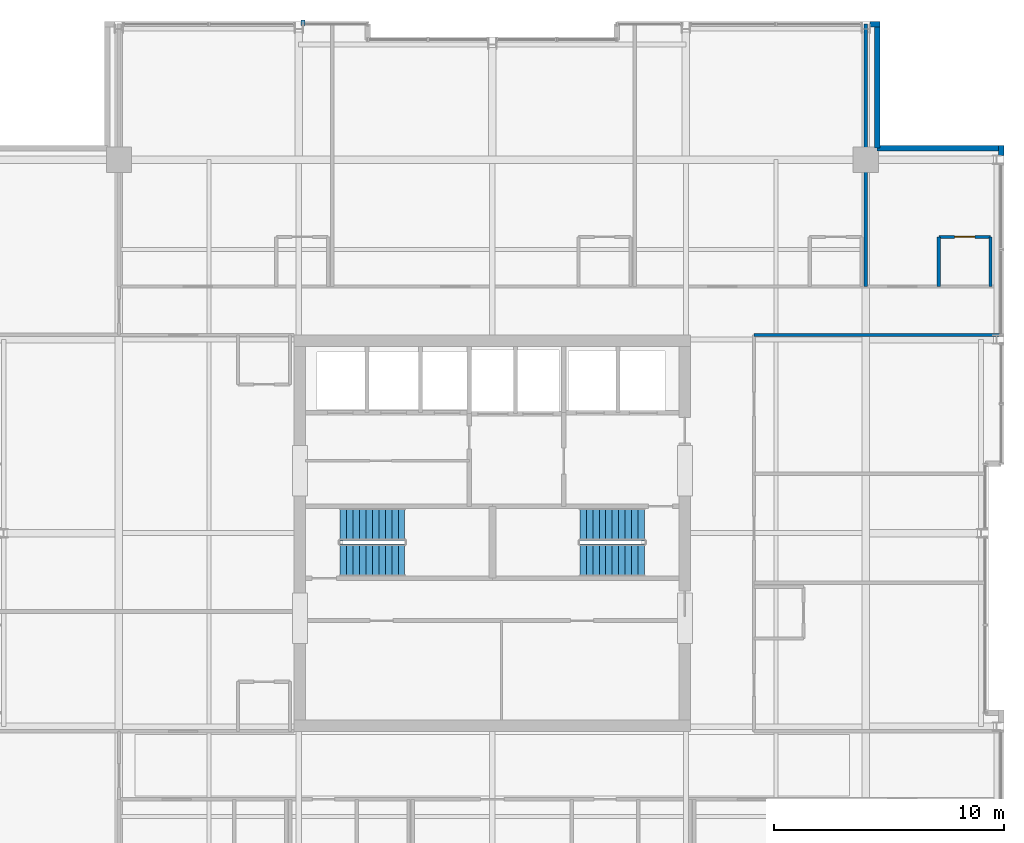
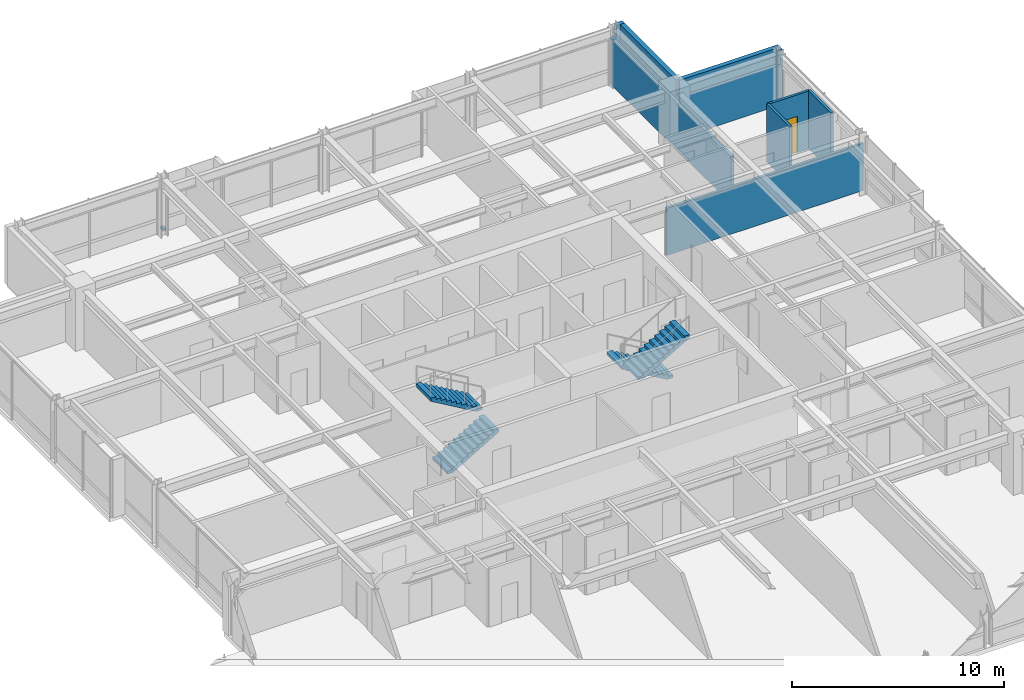
# One storey, part 29 of 31: 9 walls, 4 stair flights, 1 discrete accessory, 1 door, 1 opening, 2 elements without a shape of their own.
"""IFC4 building model written with IfcOpenShell, lengths in metres."""

import ifcopenshell
import ifcopenshell.guid

model = None  # the IFC model being written
_history = None  # IfcOwnerHistory: only IFC2X3 demands one
_inside = {}  # id of a spatial element -> (the spatial element, [elements in it])
_under = {}  # id of a project, library or spatial element -> (it, [spatial elements below it])
_declared = {}  # id of a project -> (the project, [libraries it declares])
_typed = {}  # id of a type object -> (the type object, [elements of that type])
_made_of = {}  # id of a material, layer set ... -> (it, [elements and type objects made of it])


def new_model(schema):
    """Start an empty IFC model of exactly this schema.

    Asked for "IFC4X3", IfcOpenShell would pick the latest addendum, in which some entities
    have other attributes; the version numbers below select the first issue.
    IFC2X3 requires an IfcOwnerHistory on every rooted entity: one is made here for all.
    """
    global model, _history
    if schema == "IFC4X3":
        model = ifcopenshell.file(schema_version=(4, 3, 0, 0))
    else:
        model = ifcopenshell.file(schema=schema)
    _inside.clear()
    _under.clear()
    _declared.clear()
    _typed.clear()
    _made_of.clear()
    _history = None
    if model.schema == "IFC2X3":
        org = make("IfcOrganization", Name="unknown")
        user = make(
            "IfcPersonAndOrganization",
            ThePerson=make("IfcPerson", FamilyName="unknown"),
            TheOrganization=org,
        )
        app = make(
            "IfcApplication",
            ApplicationDeveloper=org,
            Version="unknown",
            ApplicationFullName="unknown",
            ApplicationIdentifier="unknown",
        )
        _history = make(
            "IfcOwnerHistory",
            OwningUser=user,
            OwningApplication=app,
            ChangeAction="ADDED",
            CreationDate=0,
        )
    return model


def make(cls, **values):
    """One entity of the class cls with the attributes given. An attribute that is None is left unset."""
    return model.create_entity(
        cls, **{name: value for name, value in values.items() if value is not None}
    )


def rooted(cls, **values):
    """An entity with a GlobalId (a new one), such as an element, a storey or a relation."""
    return make(cls, GlobalId=ifcopenshell.guid.new(), OwnerHistory=_history, **values)


def si_unit(unit_type, name, prefix=None):
    """IfcSIUnit, for example si_unit("LENGTHUNIT", "METRE", prefix="MILLI")."""
    return make("IfcSIUnit", UnitType=unit_type, Prefix=prefix, Name=name)


def assignment(units):
    """IfcUnitAssignment: the units of a project."""
    return None if units is None else make("IfcUnitAssignment", Units=units)


def point(xyz):
    """IfcCartesianPoint."""
    return None if xyz is None else make("IfcCartesianPoint", Coordinates=xyz)


def direction(xyz):
    """IfcDirection."""
    return None if xyz is None else make("IfcDirection", DirectionRatios=xyz)


def frame(location, z_axis=None, x_axis=None):
    """IfcAxis2Placement3D, a coordinate frame: its origin and axes. An axis left out is left unset."""
    return make(
        "IfcAxis2Placement3D",
        Location=point(location),
        Axis=direction(z_axis),
        RefDirection=direction(x_axis),
    )


def frame_2d(location, x_axis=None):
    """IfcAxis2Placement2D, a coordinate frame in the plane: its origin and x axis."""
    return make(
        "IfcAxis2Placement2D", Location=point(location), RefDirection=direction(x_axis)
    )


def origin():
    """The frame at (0, 0, 0) with its axes left unset."""
    return frame((0.0, 0.0, 0.0))


def origin_2d():
    """The frame at (0, 0) in the plane with its x axis left unset."""
    return frame_2d((0.0, 0.0))


def place(relative_to, where):
    """IfcLocalPlacement: puts the frame where relative to a parent placement (None: the world)."""
    return make(
        "IfcLocalPlacement", PlacementRelTo=relative_to, RelativePlacement=where
    )


def context(
    kind, dimensions, precision=None, world=None, true_north=None, identifier=None
):
    """IfcGeometricRepresentationContext, for example the 3D "Model" context."""
    return make(
        "IfcGeometricRepresentationContext",
        ContextIdentifier=identifier,
        ContextType=kind,
        CoordinateSpaceDimension=dimensions,
        Precision=precision,
        WorldCoordinateSystem=world,
        TrueNorth=true_north,
    )


def subcontext(parent, identifier, kind, view, scale=None):
    """IfcGeometricRepresentationSubContext, for example "Body" below "Model"."""
    return make(
        "IfcGeometricRepresentationSubContext",
        ContextIdentifier=identifier,
        ContextType=kind,
        ParentContext=parent,
        TargetScale=scale,
        TargetView=view,
    )


def project(units=None, contexts=None):
    """IfcProject with its units and contexts."""
    return rooted(
        "IfcProject",
        Name="project",
        RepresentationContexts=contexts,
        UnitsInContext=assignment(units),
    )


def spatial(cls, under=None, at=None, **own):
    """A site, building, storey or space (cls), placed at a placement, below another one or the project."""
    s = rooted(cls, ObjectPlacement=at, **own)
    if under is not None:
        _under.setdefault(under.id(), (under, []))[1].append(s)
    return s


def polyline(points):
    """IfcPolyline through the points."""
    return make("IfcPolyline", Points=[point(p) for p in points])


def profile(cls, at=None, kind="AREA", **sizes):
    """A parametric profile (cls). Its sizes go by their IFC names, for example OverallWidth=200.0."""
    return make(cls, ProfileType=kind, Position=at, **sizes)


def rectangle(**sizes):
    """IfcRectangleProfileDef."""
    return profile("IfcRectangleProfileDef", **sizes)


def outline(outer, holes=None, kind="AREA"):
    """IfcArbitraryClosedProfileDef: a profile drawn as a closed curve; with holes, ...WithVoids."""
    if holes is None:
        return make("IfcArbitraryClosedProfileDef", ProfileType=kind, OuterCurve=outer)
    return make(
        "IfcArbitraryProfileDefWithVoids",
        ProfileType=kind,
        OuterCurve=outer,
        InnerCurves=holes,
    )


def extrude(swept, where, along, depth):
    """IfcExtrudedAreaSolid: the profile swept, set in the frame where, extruded along a direction by depth."""
    return make(
        "IfcExtrudedAreaSolid",
        SweptArea=swept,
        Position=where,
        ExtrudedDirection=direction(along),
        Depth=depth,
    )


def shape(context_of_items, identifier, shape_type, items):
    """IfcShapeRepresentation: the items that make up one representation, for example the "Body"."""
    return make(
        "IfcShapeRepresentation",
        ContextOfItems=context_of_items,
        RepresentationIdentifier=identifier,
        RepresentationType=shape_type,
        Items=items,
    )


def material(Name=None, Category=None):
    """IfcMaterial."""
    return make("IfcMaterial", Name=Name, Category=Category)


def layer(
    of_material, thickness, ventilated=None, Name=None, Category=None, Priority=None
):
    """IfcMaterialLayer: one layer of a wall or slab, of a material (None: an air gap)."""
    return make(
        "IfcMaterialLayer",
        Material=of_material,
        LayerThickness=thickness,
        IsVentilated=ventilated,
        Name=Name,
        Category=Category,
        Priority=Priority,
    )


def layer_set(layers, Name=None):
    """IfcMaterialLayerSet."""
    return make("IfcMaterialLayerSet", MaterialLayers=layers, LayerSetName=Name)


def made_of(thing, what):
    """Note that an element or type object is made of a material, layer set ...; save() writes the relation."""
    if what is not None:
        _made_of.setdefault(what.id(), (what, []))[1].append(thing)
    return thing


def type_object(cls, material=None, **own):
    """A type object (cls), such as IfcWallType, which elements share."""
    return made_of(rooted(cls, **own), material)


def element(
    cls,
    number,
    at=None,
    inside=None,
    cuts=None,
    type_object=None,
    material=None,
    context=None,
    identifier="Body",
    shape_type=None,
    held_by="IfcProductDefinitionShape",
    body=None,
    shapes=None,
    **own,
):
    """One element of the class cls, such as IfcWall. Its Tag is "e" and its number.

    at: its placement. inside: the storey or other place that contains it. cuts: it is an
    opening in that element (IfcRelVoidsElement). A single representation is given by context,
    identifier, shape_type and body (its items); several are given by shapes. held_by: the class
    of the entity that holds the representations. save() writes the other relations.
    """
    e = rooted(cls, Tag="e%d" % number, ObjectPlacement=at, **own)
    if body is not None:
        shapes = [shape(context, identifier, shape_type, body)]
    if shapes is not None:
        e.Representation = make(held_by, Representations=shapes)
    if inside is not None:
        _inside.setdefault(inside.id(), (inside, []))[1].append(e)
    if cuts is not None:
        rooted(
            "IfcRelVoidsElement", RelatingBuildingElement=cuts, RelatedOpeningElement=e
        )
    if type_object is not None:
        _typed.setdefault(type_object.id(), (type_object, []))[1].append(e)
    return made_of(e, material)


def fill(opening, filler):
    """IfcRelFillsElement: the door or window that sits in an opening."""
    return rooted(
        "IfcRelFillsElement",
        RelatingOpeningElement=opening,
        RelatedBuildingElement=filler,
    )


def aggregate(whole, parts):
    """IfcRelAggregates: a whole, such as a stair, and the parts it consists of."""
    return rooted("IfcRelAggregates", RelatingObject=whole, RelatedObjects=parts)


def save(model, path):
    """Write the relations noted so far, then the file.

    IfcRelAggregates (storeys below a building ...), IfcRelContainedInSpatialStructure (elements
    in a storey), IfcRelDefinesByType, IfcRelAssociatesMaterial and IfcRelDeclares: one each for
    every whole, place, type object, material and project.
    """
    for whole, parts in _under.values():
        aggregate(whole, parts)
    for where, things in _inside.values():
        rooted(
            "IfcRelContainedInSpatialStructure",
            RelatedElements=things,
            RelatingStructure=where,
        )
    for kind, things in _typed.values():
        rooted("IfcRelDefinesByType", RelatedObjects=things, RelatingType=kind)
    for what, things in _made_of.values():
        rooted("IfcRelAssociatesMaterial", RelatedObjects=things, RelatingMaterial=what)
    for by, libraries in _declared.values():
        rooted("IfcRelDeclares", RelatingContext=by, RelatedDefinitions=libraries)
    model.write(path)


model = new_model("IFC4")

# Units and contexts
model_context = context("Model", 3, precision=1e-05, world=origin(), true_north=direction((0.0, 1.0)))
body_context = subcontext(model_context, "Body", "Model", "MODEL_VIEW")
ifc_project = project(units=[si_unit("LENGTHUNIT", "METRE"), si_unit("AREAUNIT", "SQUARE_METRE"), si_unit("VOLUMEUNIT", "CUBIC_METRE"), si_unit("PLANEANGLEUNIT", "RADIAN"), si_unit("MASSUNIT", "GRAM", prefix="KILO")], contexts=[model_context])

# Site, building, storey
site_placement = place(None, origin())
site = spatial("IfcSite", under=ifc_project, at=site_placement, CompositionType="ELEMENT")
building_placement = place(site_placement, origin())
building = spatial("IfcBuilding", under=site, at=building_placement, Name="Drelvath Grand Hotel", CompositionType="ELEMENT")
storey_placement = place(building_placement, frame((0.0, 0.0, 230.300048828125)))
storey = spatial("IfcBuildingStorey", under=building, at=storey_placement, Name="L60", CompositionType="ELEMENT", Elevation=230.300048828125)

# Walls
ifc_material_1 = material(Name="Gypsum Fireboard Partition")
ifc_layer_1 = layer(ifc_material_1, 0.135009765625)
ifc_layer_set_1 = layer_set([ifc_layer_1], Name="Gypsum Fireboard Partition")
wall_type_1 = type_object("IfcWallType", Name="Corridor Fire Barrier Wall 135", PredefinedType="PARTITIONING", material=ifc_layer_set_1)
wall_1_placement = place(storey_placement, frame((11.35009765625, 35.60009765625, 0.0), z_axis=(0.0, 0.0, 1.0), x_axis=(1.0, 0.0, 0.0)))
element("IfcWall", 1, at=wall_1_placement, inside=storey, type_object=wall_type_1, Name="L60 North Gallery Inner East Wall", PredefinedType="PARTITIONING", context=body_context, shape_type="SweptSolid", body=[
    extrude(rectangle(XDim=10.72998046875, YDim=0.135009765625, at=frame_2d((5.364990234375, 0.0))), origin(), (0.0, 0.0, 1.0), 2.71728515625),
])
ifc_material_2 = material(Name="Moisture-Resistant Gypsum Board")
ifc_layer_2 = layer(ifc_material_2, 0.139892578125)
ifc_layer_set_2 = layer_set([ifc_layer_2], Name="Moisture-Resistant Gypsum Board")
wall_type_2 = type_object("IfcWallType", Name="En-Suite Plumbing Wall 140", PredefinedType="PLUMBINGWALL", material=ifc_layer_set_2)
for number, where, z_axis, x_axis, name in (
    (2, (19.3701171875, 37.699951171875, 0.0), (0.0, 0.0, 1.0), (0.0, 1.0, 0.0), "L60 En-Suite Left Wall"),
    (3, (21.6201171875, 37.699951171875, 0.0), (0.0, 0.0, 1.0), (0.0, 1.0, 0.0), "L60 En-Suite Right Wall"),
):
    element("IfcWall", number, at=place(storey_placement, frame(where, z_axis=z_axis, x_axis=x_axis)), inside=storey, type_object=wall_type_2, Name=name, PredefinedType="PLUMBINGWALL", context=body_context, shape_type="SweptSolid", body=[
        extrude(rectangle(XDim=2.150146484375, YDim=0.139892578125, at=frame_2d((1.0751953125, 0.0))), origin(), (0.0, 0.0, 1.0), 3.33984375),
    ])

# Wall, opening, door
wall_2_placement = place(storey_placement, frame((19.3701171875, 39.85009765625, 0.0), z_axis=(0.0, 0.0, 1.0), x_axis=(1.0, 0.0, 0.0)))
wall_2 = element("IfcWall", 4, at=wall_2_placement, inside=storey, type_object=wall_type_2, Name="L60 En-Suite Front Wall", PredefinedType="PLUMBINGWALL", context=body_context, shape_type="SweptSolid", body=[
    extrude(rectangle(XDim=2.25, YDim=0.139892578125, at=frame_2d((1.125, 0.0))), origin(), (0.0, 0.0, 1.0), 3.33984375),
])
opening_placement = place(wall_2_placement, frame((0.68505859375, 0.0, 0.0)))
opening = element("IfcOpeningElement", 5, at=opening_placement, cuts=wall_2, Name="Opening D-T4G3-021", PredefinedType="OPENING", context=body_context, shape_type="SweptSolid", body=[
    extrude(rectangle(XDim=0.8798828125, YDim=2.10009765625, at=frame_2d((0.43994140625, 1.050048828125))), frame((0.0, 0.079833984375, 0.0), z_axis=(0.0, -1.0, 0.0), x_axis=(1.0, 0.0, 0.0)), (0.0, 0.0, 1.0), 0.159912109375),
])
ifc_material_3 = material(Name="Hardwood Walnut Timber", Category="wood")
door_type = type_object("IfcDoorType", Name="En-Suite Bathroom Door 880x2100", OperationType="NOTDEFINED", PredefinedType="DOOR", material=ifc_material_3)
door_placement = place(opening_placement, origin())
door = element("IfcDoor", 6, at=door_placement, inside=storey, type_object=door_type, Name="L60 En-Suite Bathroom Door", OperationType="SINGLE_SWING_RIGHT", OverallHeight=2.10009765625, OverallWidth=0.8798828125, PredefinedType="DOOR", context=body_context, shape_type="SweptSolid", body=[
    extrude(rectangle(XDim=0.8798828125, YDim=2.10009765625, at=frame_2d((0.43994140625, 1.050048828125))), frame((0.0, 0.02490234375, 0.0), z_axis=(0.0, -1.0, 0.0), x_axis=(1.0, 0.0, 0.0)), (0.0, 0.0, 1.0), 0.050048828125),
])
fill(opening, door)

# Walls
ifc_material_4 = material(Name="Gypsum Acoustic Partition")
ifc_layer_3 = layer(ifc_material_4, 0.1650390625)
ifc_layer_set_3 = layer_set([ifc_layer_3], Name="Gypsum Acoustic Partition")
wall_type_3 = type_object("IfcWallType", Name="Suite Demising Wall 165", PredefinedType="PARTITIONING", material=ifc_layer_set_3)
wall_3_placement = place(storey_placement, frame((16.199951171875, 37.699951171875, 0.0), z_axis=(0.0, 0.0, 1.0), x_axis=(0.0, 1.0, 0.0)))
element("IfcWall", 7, at=wall_3_placement, inside=storey, type_object=wall_type_3, Name="L60 NE Suite Wall", PredefinedType="PARTITIONING", context=body_context, shape_type="SweptSolid", body=[
    extrude(rectangle(XDim=11.380126953125, YDim=0.1650390625, at=frame_2d((5.68994140625, 0.0))), origin(), (0.0, 0.0, 1.0), 2.7138671875),
])
ifc_material_5 = material(Name="Pale-Metal Insulated Aluminium Spandrel Assembly", Category="aluminium")
ifc_layer_4 = layer(ifc_material_5, 0.239990234375)
ifc_layer_set_4 = layer_set([ifc_layer_4], Name="Pale-Metal Insulated Aluminium Spandrel Assembly")
wall_type_4 = type_object("IfcWallType", Name="Tower Insulated Metal Spandrel Closure Wall 240", PredefinedType="STANDARD", material=ifc_layer_set_4)
for number, where, z_axis, x_axis, name in (
    (8, (22.080078125, 43.820068359375, 0.0), (0.0, 0.0, 1.0), (0.0, -1.0, 0.0), "L60 Corner Pier Spandrel Wall EN3"),
    (9, (16.38525390625, 49.080078125, 0.0), (0.0, 0.0, 1.0), (1.0, 0.0, 0.0), "L60 Corner Pier Spandrel Wall NE3"),
):
    element("IfcWall", number, at=place(storey_placement, frame(where, z_axis=z_axis, x_axis=x_axis)), inside=storey, type_object=wall_type_4, Name=name, PredefinedType="STANDARD", context=body_context, shape_type="SweptSolid", body=[
        extrude(rectangle(XDim=0.434814453125, YDim=0.239990234375, at=frame_2d((0.21728515625, 0.0))), origin(), (0.0, 0.0, 1.0), 3.33984375),
    ])
for number, where, z_axis, x_axis, name in (
    (10, (16.699951171875, 48.9599609375, 0.0), (0.0, 0.0, 1.0), (0.0, -1.0, 0.0), "L60 Notched Corner Return Spandrel Wall CNE1"),
    (11, (16.699951171875, 43.699951171875, 0.0), (0.0, 0.0, 1.0), (1.0, 0.0, 0.0), "L60 Notched Corner Return Spandrel Wall CNE2"),
):
    element("IfcWall", number, at=place(storey_placement, frame(where, z_axis=z_axis, x_axis=x_axis)), inside=storey, type_object=wall_type_4, Name=name, PredefinedType="STANDARD", context=body_context, shape_type="SweptSolid", body=[
        extrude(rectangle(XDim=5.260009765625, YDim=0.239990234375, at=frame_2d((2.6298828125, 0.0))), origin(), (0.0, 0.0, 1.0), 3.33984375),
    ])

# Stair, stair flights
ifc_material_6 = material(Name="Concrete C40/50", Category="concrete")
stair_type = type_object("IfcStairType", Name="Dogleg Exit Stair W1400-R163.6", PredefinedType="HALF_TURN_STAIR", material=ifc_material_6)
stair_1_placement = place(storey_placement, origin())
stair_1 = element("IfcStair", 12, at=stair_1_placement, inside=storey, type_object=stair_type, Name="L60 Core Exit Stair ST-1", PredefinedType="HALF_TURN_STAIR")
stair_flight_type = type_object("IfcStairFlightType", Name="Concrete Stair Flight W1400-R163.6", PredefinedType="STRAIGHT", material=ifc_material_6)
stair_flight_1_placement = place(storey_placement, frame((-6.60009765625, 25.820068359375, 0.0), z_axis=(0.0, 0.0, 1.0), x_axis=(1.0, 0.0, 0.0)))
stair_flight_1 = element("IfcStairFlight", 13, at=stair_flight_1_placement, type_object=stair_flight_type, Name="ST-1 flight 1", NumberOfRisers=11, NumberOfTreads=10, PredefinedType="STRAIGHT", RiserHeight=0.163636364, TreadLength=0.28, context=body_context, shape_type="SweptSolid", body=[
    extrude(outline(polyline([(0.0, 0.0), (0.0, 0.16357421875), (0.280029296875, 0.16357421875), (0.280029296875, 0.327392578125), (0.56005859375, 0.327392578125), (0.56005859375, 0.490966796875), (0.840087890625, 0.490966796875), (0.840087890625, 0.654541015625), (1.1201171875, 0.654541015625), (1.1201171875, 0.818115234375), (1.39990234375, 0.818115234375), (1.39990234375, 0.98193359375), (1.679931640625, 0.98193359375), (1.679931640625, 1.1455078125), (1.9599609375, 1.1455078125), (1.9599609375, 1.30908203125), (2.239990234375, 1.30908203125), (2.239990234375, 1.47265625), (2.52001953125, 1.47265625), (2.52001953125, 1.636474609375), (2.800048828125, 1.636474609375), (2.800048828125, 1.800048828125), (2.800048828125, 1.451171875), (0.31689453125, 0.0), (0.0, 0.0)])), frame((0.0, 0.699951171875, 0.0), z_axis=(0.0, -1.0, 0.0), x_axis=(1.0, 0.0, 0.0)), (0.0, 0.0, 1.0), 1.39990234375),
])
stair_flight_2_placement = place(storey_placement, frame((-3.800048828125, 27.3798828125, 1.800048828125), z_axis=(0.0, 0.0, 1.0), x_axis=(-1.0, 0.0, 0.0)))
stair_flight_2 = element("IfcStairFlight", 14, at=stair_flight_2_placement, type_object=stair_flight_type, Name="ST-1 flight 2", NumberOfRisers=11, NumberOfTreads=10, PredefinedType="STRAIGHT", RiserHeight=0.163636364, TreadLength=0.28, context=body_context, shape_type="SweptSolid", body=[
    extrude(outline(polyline([(0.0, 0.0), (0.0, 0.16357421875), (0.280029296875, 0.16357421875), (0.280029296875, 0.327392578125), (0.56005859375, 0.327392578125), (0.56005859375, 0.490966796875), (0.840087890625, 0.490966796875), (0.840087890625, 0.654541015625), (1.1201171875, 0.654541015625), (1.1201171875, 0.818115234375), (1.39990234375, 0.818115234375), (1.39990234375, 0.98193359375), (1.679931640625, 0.98193359375), (1.679931640625, 1.1455078125), (1.9599609375, 1.1455078125), (1.9599609375, 1.30908203125), (2.239990234375, 1.30908203125), (2.239990234375, 1.47265625), (2.52001953125, 1.47265625), (2.52001953125, 1.636474609375), (2.800048828125, 1.636474609375), (2.800048828125, 1.800048828125), (2.800048828125, 1.451171875), (0.31689453125, 0.0), (0.0, 0.0)])), frame((0.0, 0.699951171875, 0.0), z_axis=(0.0, -1.0, 0.0), x_axis=(1.0, 0.0, 0.0)), (0.0, 0.0, 1.0), 1.39990234375),
])
aggregate(stair_1, [stair_flight_1, stair_flight_2])

stair_2_placement = place(storey_placement, origin())
stair_2 = element("IfcStair", 15, at=stair_2_placement, inside=storey, type_object=stair_type, Name="L60 Core Exit Stair ST-2", PredefinedType="HALF_TURN_STAIR")
stair_flight_3_placement = place(storey_placement, frame((6.60009765625, 27.3798828125, 0.0), z_axis=(0.0, 0.0, 1.0), x_axis=(-1.0, 0.0, 0.0)))
stair_flight_3 = element("IfcStairFlight", 16, at=stair_flight_3_placement, type_object=stair_flight_type, Name="ST-2 flight 1", NumberOfRisers=11, NumberOfTreads=10, PredefinedType="STRAIGHT", RiserHeight=0.163636364, TreadLength=0.28, context=body_context, shape_type="SweptSolid", body=[
    extrude(outline(polyline([(0.0, 0.0), (0.0, 0.16357421875), (0.280029296875, 0.16357421875), (0.280029296875, 0.327392578125), (0.56005859375, 0.327392578125), (0.56005859375, 0.490966796875), (0.840087890625, 0.490966796875), (0.840087890625, 0.654541015625), (1.1201171875, 0.654541015625), (1.1201171875, 0.818115234375), (1.39990234375, 0.818115234375), (1.39990234375, 0.98193359375), (1.679931640625, 0.98193359375), (1.679931640625, 1.1455078125), (1.9599609375, 1.1455078125), (1.9599609375, 1.30908203125), (2.239990234375, 1.30908203125), (2.239990234375, 1.47265625), (2.52001953125, 1.47265625), (2.52001953125, 1.636474609375), (2.800048828125, 1.636474609375), (2.800048828125, 1.800048828125), (2.800048828125, 1.451171875), (0.31689453125, 0.0), (0.0, 0.0)])), frame((0.0, 0.699951171875, 0.0), z_axis=(0.0, -1.0, 0.0), x_axis=(1.0, 0.0, 0.0)), (0.0, 0.0, 1.0), 1.39990234375),
])
stair_flight_4_placement = place(storey_placement, frame((3.800048828125, 25.820068359375, 1.800048828125), z_axis=(0.0, 0.0, 1.0), x_axis=(1.0, 0.0, 0.0)))
stair_flight_4 = element("IfcStairFlight", 17, at=stair_flight_4_placement, type_object=stair_flight_type, Name="ST-2 flight 2", NumberOfRisers=11, NumberOfTreads=10, PredefinedType="STRAIGHT", RiserHeight=0.163636364, TreadLength=0.28, context=body_context, shape_type="SweptSolid", body=[
    extrude(outline(polyline([(0.0, 0.0), (0.0, 0.16357421875), (0.280029296875, 0.16357421875), (0.280029296875, 0.327392578125), (0.56005859375, 0.327392578125), (0.56005859375, 0.490966796875), (0.840087890625, 0.490966796875), (0.840087890625, 0.654541015625), (1.1201171875, 0.654541015625), (1.1201171875, 0.818115234375), (1.39990234375, 0.818115234375), (1.39990234375, 0.98193359375), (1.679931640625, 0.98193359375), (1.679931640625, 1.1455078125), (1.9599609375, 1.1455078125), (1.9599609375, 1.30908203125), (2.239990234375, 1.30908203125), (2.239990234375, 1.47265625), (2.52001953125, 1.47265625), (2.52001953125, 1.636474609375), (2.800048828125, 1.636474609375), (2.800048828125, 1.800048828125), (2.800048828125, 1.451171875), (0.31689453125, 0.0), (0.0, 0.0)])), frame((0.0, 0.699951171875, 0.0), z_axis=(0.0, -1.0, 0.0), x_axis=(1.0, 0.0, 0.0)), (0.0, 0.0, 1.0), 1.39990234375),
])
aggregate(stair_2, [stair_flight_3, stair_flight_4])

# Discrete accessory
ifc_material_7 = material(Name="Stainless Steel Grade 316", Category="steel")
discrete_accessory_type = type_object("IfcDiscreteAccessoryType", Name="Curtain Wall Fin Mounting Bracket Cleat", PredefinedType="BRACKET", material=ifc_material_7)
discrete_accessory_placement = place(storey_placement, frame((-8.214599609375, 49.139892578125, 0.10009765625), z_axis=(0.0, 0.0, 1.0), x_axis=(1.0, 0.0, 0.0)))
element("IfcDiscreteAccessory", 18, at=discrete_accessory_placement, inside=storey, type_object=discrete_accessory_type, Name="L60 Fin Mounting Bracket CW05-L60-NW3-1", PredefinedType="BRACKET", context=body_context, shape_type="SweptSolid", body=[
    extrude(rectangle(XDim=0.159912109375, YDim=0.239990234375, at=origin_2d()), origin(), (0.0, 0.0, 1.0), 0.159912109375),
])

save(model, "model.ifc")
